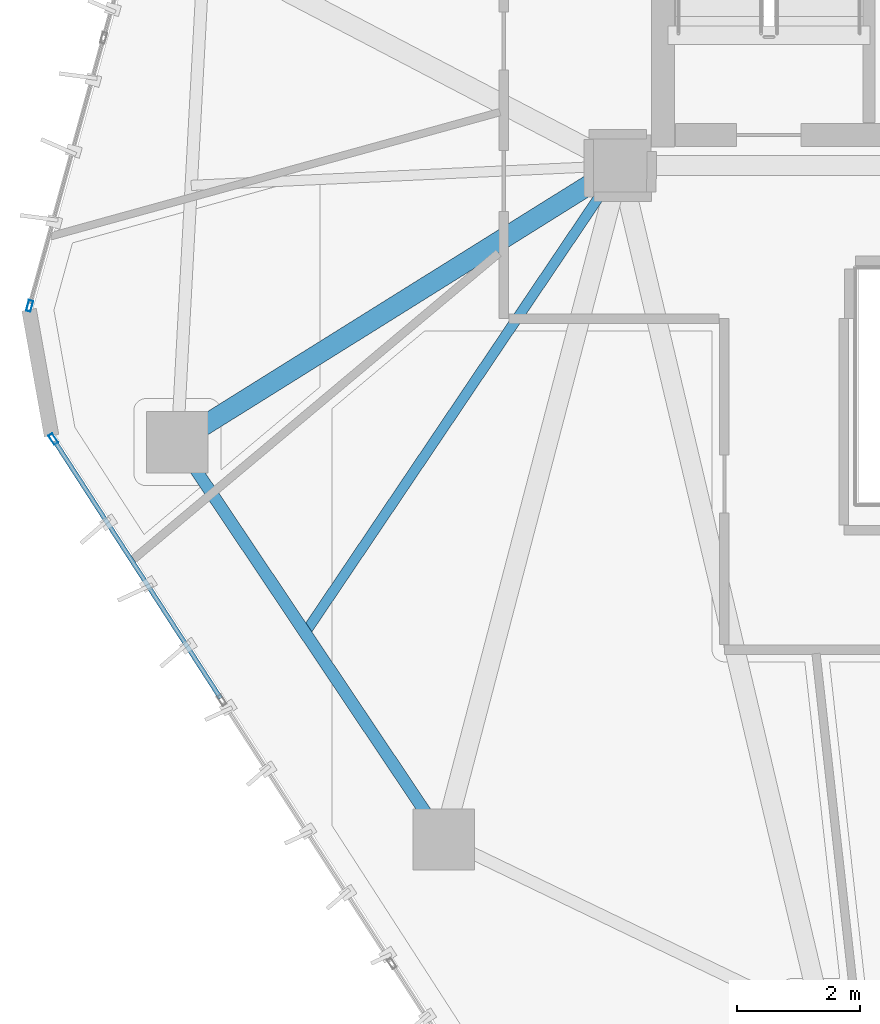
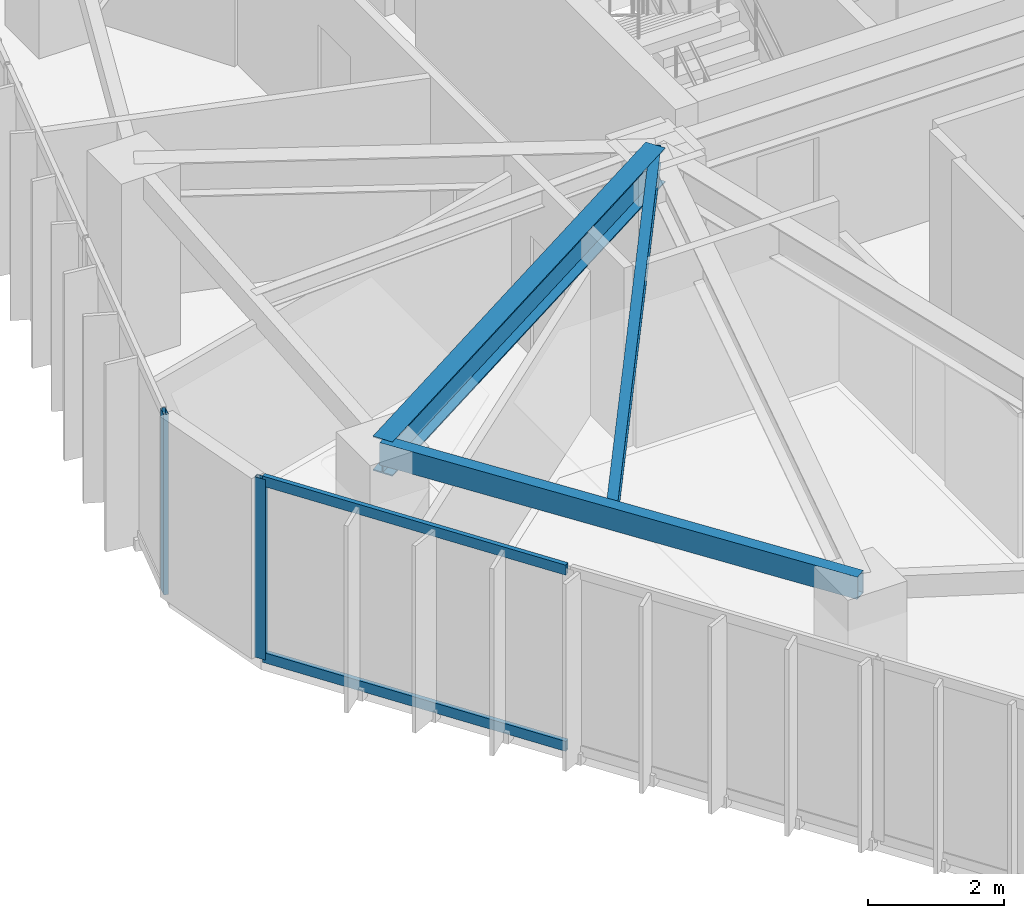
# One storey, part 3 of 19: 4 members, 3 beams, 2 elements without a shape of their own.
"""IFC4 building model written with IfcOpenShell, lengths in metres."""

import ifcopenshell
import ifcopenshell.guid

model = None  # the IFC model being written
_history = None  # IfcOwnerHistory: only IFC2X3 demands one
_inside = {}  # id of a spatial element -> (the spatial element, [elements in it])
_under = {}  # id of a project, library or spatial element -> (it, [spatial elements below it])
_declared = {}  # id of a project -> (the project, [libraries it declares])
_typed = {}  # id of a type object -> (the type object, [elements of that type])
_made_of = {}  # id of a material, layer set ... -> (it, [elements and type objects made of it])


def new_model(schema):
    """Start an empty IFC model of exactly this schema.

    Asked for "IFC4X3", IfcOpenShell would pick the latest addendum, in which some entities
    have other attributes; the version numbers below select the first issue.
    IFC2X3 requires an IfcOwnerHistory on every rooted entity: one is made here for all.
    """
    global model, _history
    if schema == "IFC4X3":
        model = ifcopenshell.file(schema_version=(4, 3, 0, 0))
    else:
        model = ifcopenshell.file(schema=schema)
    _inside.clear()
    _under.clear()
    _declared.clear()
    _typed.clear()
    _made_of.clear()
    _history = None
    if model.schema == "IFC2X3":
        org = make("IfcOrganization", Name="unknown")
        user = make(
            "IfcPersonAndOrganization",
            ThePerson=make("IfcPerson", FamilyName="unknown"),
            TheOrganization=org,
        )
        app = make(
            "IfcApplication",
            ApplicationDeveloper=org,
            Version="unknown",
            ApplicationFullName="unknown",
            ApplicationIdentifier="unknown",
        )
        _history = make(
            "IfcOwnerHistory",
            OwningUser=user,
            OwningApplication=app,
            ChangeAction="ADDED",
            CreationDate=0,
        )
    return model


def make(cls, **values):
    """One entity of the class cls with the attributes given. An attribute that is None is left unset."""
    return model.create_entity(
        cls, **{name: value for name, value in values.items() if value is not None}
    )


def rooted(cls, **values):
    """An entity with a GlobalId (a new one), such as an element, a storey or a relation."""
    return make(cls, GlobalId=ifcopenshell.guid.new(), OwnerHistory=_history, **values)


def si_unit(unit_type, name, prefix=None):
    """IfcSIUnit, for example si_unit("LENGTHUNIT", "METRE", prefix="MILLI")."""
    return make("IfcSIUnit", UnitType=unit_type, Prefix=prefix, Name=name)


def assignment(units):
    """IfcUnitAssignment: the units of a project."""
    return None if units is None else make("IfcUnitAssignment", Units=units)


def point(xyz):
    """IfcCartesianPoint."""
    return None if xyz is None else make("IfcCartesianPoint", Coordinates=xyz)


def direction(xyz):
    """IfcDirection."""
    return None if xyz is None else make("IfcDirection", DirectionRatios=xyz)


def frame(location, z_axis=None, x_axis=None):
    """IfcAxis2Placement3D, a coordinate frame: its origin and axes. An axis left out is left unset."""
    return make(
        "IfcAxis2Placement3D",
        Location=point(location),
        Axis=direction(z_axis),
        RefDirection=direction(x_axis),
    )


def frame_2d(location, x_axis=None):
    """IfcAxis2Placement2D, a coordinate frame in the plane: its origin and x axis."""
    return make(
        "IfcAxis2Placement2D", Location=point(location), RefDirection=direction(x_axis)
    )


def origin():
    """The frame at (0, 0, 0) with its axes left unset."""
    return frame((0.0, 0.0, 0.0))


def origin_2d():
    """The frame at (0, 0) in the plane with its x axis left unset."""
    return frame_2d((0.0, 0.0))


def place(relative_to, where):
    """IfcLocalPlacement: puts the frame where relative to a parent placement (None: the world)."""
    return make(
        "IfcLocalPlacement", PlacementRelTo=relative_to, RelativePlacement=where
    )


def context(
    kind, dimensions, precision=None, world=None, true_north=None, identifier=None
):
    """IfcGeometricRepresentationContext, for example the 3D "Model" context."""
    return make(
        "IfcGeometricRepresentationContext",
        ContextIdentifier=identifier,
        ContextType=kind,
        CoordinateSpaceDimension=dimensions,
        Precision=precision,
        WorldCoordinateSystem=world,
        TrueNorth=true_north,
    )


def subcontext(parent, identifier, kind, view, scale=None):
    """IfcGeometricRepresentationSubContext, for example "Body" below "Model"."""
    return make(
        "IfcGeometricRepresentationSubContext",
        ContextIdentifier=identifier,
        ContextType=kind,
        ParentContext=parent,
        TargetScale=scale,
        TargetView=view,
    )


def project(units=None, contexts=None):
    """IfcProject with its units and contexts."""
    return rooted(
        "IfcProject",
        Name="project",
        RepresentationContexts=contexts,
        UnitsInContext=assignment(units),
    )


def spatial(cls, under=None, at=None, **own):
    """A site, building, storey or space (cls), placed at a placement, below another one or the project."""
    s = rooted(cls, ObjectPlacement=at, **own)
    if under is not None:
        _under.setdefault(under.id(), (under, []))[1].append(s)
    return s


def profile(cls, at=None, kind="AREA", **sizes):
    """A parametric profile (cls). Its sizes go by their IFC names, for example OverallWidth=200.0."""
    return make(cls, ProfileType=kind, Position=at, **sizes)


def hollow_rectangle(**sizes):
    """IfcRectangleHollowProfileDef."""
    return profile("IfcRectangleHollowProfileDef", **sizes)


def i_section(**sizes):
    """IfcIShapeProfileDef."""
    return profile("IfcIShapeProfileDef", **sizes)


def extrude(swept, where, along, depth):
    """IfcExtrudedAreaSolid: the profile swept, set in the frame where, extruded along a direction by depth."""
    return make(
        "IfcExtrudedAreaSolid",
        SweptArea=swept,
        Position=where,
        ExtrudedDirection=direction(along),
        Depth=depth,
    )


def shape(context_of_items, identifier, shape_type, items):
    """IfcShapeRepresentation: the items that make up one representation, for example the "Body"."""
    return make(
        "IfcShapeRepresentation",
        ContextOfItems=context_of_items,
        RepresentationIdentifier=identifier,
        RepresentationType=shape_type,
        Items=items,
    )


def source(mapping_origin, context_of_items, identifier, shape_type, items):
    """IfcRepresentationMap: a shape defined once, which mapped items show again and again."""
    return make(
        "IfcRepresentationMap",
        MappingOrigin=mapping_origin,
        MappedRepresentation=shape(context_of_items, identifier, shape_type, items),
    )


def transform(
    local_origin,
    x_axis=None,
    y_axis=None,
    z_axis=None,
    scale=None,
    scale2=None,
    scale3=None,
    uniform=True,
):
    """IfcCartesianTransformationOperator3D, or its non-uniform kind. x_axis, y_axis, z_axis: its Axis1, 2, 3."""
    if uniform:
        return make(
            "IfcCartesianTransformationOperator3D",
            Axis1=direction(x_axis),
            Axis2=direction(y_axis),
            LocalOrigin=point(local_origin),
            Scale=scale,
            Axis3=direction(z_axis),
        )
    return make(
        "IfcCartesianTransformationOperator3DnonUniform",
        Axis1=direction(x_axis),
        Axis2=direction(y_axis),
        LocalOrigin=point(local_origin),
        Scale=scale,
        Axis3=direction(z_axis),
        Scale2=scale2,
        Scale3=scale3,
    )


def mapped(mapping_source, mapping_target):
    """IfcMappedItem: shows the shape of a source again, moved by a transform."""
    return make(
        "IfcMappedItem", MappingSource=mapping_source, MappingTarget=mapping_target
    )


def material(Name=None, Category=None):
    """IfcMaterial."""
    return make("IfcMaterial", Name=Name, Category=Category)


def layer(
    of_material, thickness, ventilated=None, Name=None, Category=None, Priority=None
):
    """IfcMaterialLayer: one layer of a wall or slab, of a material (None: an air gap)."""
    return make(
        "IfcMaterialLayer",
        Material=of_material,
        LayerThickness=thickness,
        IsVentilated=ventilated,
        Name=Name,
        Category=Category,
        Priority=Priority,
    )


def layer_set(layers, Name=None):
    """IfcMaterialLayerSet."""
    return make("IfcMaterialLayerSet", MaterialLayers=layers, LayerSetName=Name)


def material_profile(
    of_material, cross_section, Name=None, Category=None, Priority=None
):
    """IfcMaterialProfile: a cross section and its material."""
    return make(
        "IfcMaterialProfile",
        Name=Name,
        Material=of_material,
        Profile=cross_section,
        Priority=Priority,
        Category=Category,
    )


def profile_set(profiles, Name=None, composite=None):
    """IfcMaterialProfileSet."""
    return make(
        "IfcMaterialProfileSet",
        Name=Name,
        MaterialProfiles=profiles,
        CompositeProfile=composite,
    )


def made_of(thing, what):
    """Note that an element or type object is made of a material, layer set ...; save() writes the relation."""
    if what is not None:
        _made_of.setdefault(what.id(), (what, []))[1].append(thing)
    return thing


def type_object(cls, material=None, **own):
    """A type object (cls), such as IfcWallType, which elements share."""
    return made_of(rooted(cls, **own), material)


def type_shapes(of_type, sources):
    """Give a type object the sources (RepresentationMaps) that its elements show as mapped items."""
    of_type.RepresentationMaps = sources


def element(
    cls,
    number,
    at=None,
    inside=None,
    cuts=None,
    type_object=None,
    material=None,
    context=None,
    identifier="Body",
    shape_type=None,
    held_by="IfcProductDefinitionShape",
    body=None,
    shapes=None,
    **own,
):
    """One element of the class cls, such as IfcWall. Its Tag is "e" and its number.

    at: its placement. inside: the storey or other place that contains it. cuts: it is an
    opening in that element (IfcRelVoidsElement). A single representation is given by context,
    identifier, shape_type and body (its items); several are given by shapes. held_by: the class
    of the entity that holds the representations. save() writes the other relations.
    """
    e = rooted(cls, Tag="e%d" % number, ObjectPlacement=at, **own)
    if body is not None:
        shapes = [shape(context, identifier, shape_type, body)]
    if shapes is not None:
        e.Representation = make(held_by, Representations=shapes)
    if inside is not None:
        _inside.setdefault(inside.id(), (inside, []))[1].append(e)
    if cuts is not None:
        rooted(
            "IfcRelVoidsElement", RelatingBuildingElement=cuts, RelatedOpeningElement=e
        )
    if type_object is not None:
        _typed.setdefault(type_object.id(), (type_object, []))[1].append(e)
    return made_of(e, material)


def aggregate(whole, parts):
    """IfcRelAggregates: a whole, such as a stair, and the parts it consists of."""
    return rooted("IfcRelAggregates", RelatingObject=whole, RelatedObjects=parts)


def save(model, path):
    """Write the relations noted so far, then the file.

    IfcRelAggregates (storeys below a building ...), IfcRelContainedInSpatialStructure (elements
    in a storey), IfcRelDefinesByType, IfcRelAssociatesMaterial and IfcRelDeclares: one each for
    every whole, place, type object, material and project.
    """
    for whole, parts in _under.values():
        aggregate(whole, parts)
    for where, things in _inside.values():
        rooted(
            "IfcRelContainedInSpatialStructure",
            RelatedElements=things,
            RelatingStructure=where,
        )
    for kind, things in _typed.values():
        rooted("IfcRelDefinesByType", RelatedObjects=things, RelatingType=kind)
    for what, things in _made_of.values():
        rooted("IfcRelAssociatesMaterial", RelatedObjects=things, RelatingMaterial=what)
    for by, libraries in _declared.values():
        rooted("IfcRelDeclares", RelatingContext=by, RelatedDefinitions=libraries)
    model.write(path)


model = new_model("IFC4")

# Units and contexts
model_context = context("Model", 3, precision=1e-05, world=origin(), true_north=direction((0.0, 1.0)))
body_context = subcontext(model_context, "Body", "Model", "MODEL_VIEW")
ifc_project = project(units=[si_unit("LENGTHUNIT", "METRE"), si_unit("AREAUNIT", "SQUARE_METRE"), si_unit("VOLUMEUNIT", "CUBIC_METRE"), si_unit("PLANEANGLEUNIT", "RADIAN"), si_unit("MASSUNIT", "GRAM", prefix="KILO")], contexts=[model_context])

# Site, building, storey
site_placement = place(None, origin())
site = spatial("IfcSite", under=ifc_project, at=site_placement, CompositionType="ELEMENT")
building_placement = place(site_placement, origin())
building = spatial("IfcBuilding", under=site, at=building_placement, Name="Talar Marvaseh", CompositionType="ELEMENT")
storey_placement = place(building_placement, frame((0.0, 0.0, 181.0)))
storey = spatial("IfcBuildingStorey", under=building, at=storey_placement, Name="L47", CompositionType="ELEMENT", Elevation=181.0)

# Beams
ifc_material_1 = material(Name="Steel S355", Category="steel")
ifc_material_profile_1 = material_profile(ifc_material_1, hollow_rectangle(XDim=0.199951171875, YDim=0.39990234375, WallThickness=0.013916015625, at=origin_2d()), Name="RHS400x200x14")
ifc_profile_set_1 = profile_set([ifc_material_profile_1], Name="Steel S355")
beam_type_1 = type_object("IfcBeamType", Name="Zone 3 Perimeter Spandrel Beam RHS400x200x14", PredefinedType="SPANDREL", material=ifc_profile_set_1)
beam_1_placement = place(storey_placement, frame((15.819091796875, 14.5009765625, 3.030029296875), z_axis=(-0.556805579613, 0.830642851358, 0.0), x_axis=(-0.830642851358, -0.556805579613, 0.0)))
element("IfcBeam", 1, at=beam_1_placement, inside=storey, type_object=beam_type_1, Name="L47 Zone 3 Perimeter Spandrel Beam RHS400x200x14", PredefinedType="SPANDREL", context=body_context, shape_type="SweptSolid", body=[
    extrude(hollow_rectangle(XDim=0.199951171875, YDim=0.39990234375, WallThickness=0.013916015625, at=origin_2d()), origin(), (0.0, 0.0, 1.0), 7.807373046875),
])
ifc_material_profile_2 = material_profile(ifc_material_1, i_section(OverallWidth=0.324951171875, OverallDepth=0.615966796875, WebThickness=0.013916015625, FlangeThickness=0.021484375, at=origin_2d()), Name="W610x174")
ifc_profile_set_2 = profile_set([ifc_material_profile_2], Name="Steel S355")
beam_type_2 = type_object("IfcBeamType", Name="Zone 3 Radial Floor Girder W610x174", PredefinedType="BEAM", material=ifc_profile_set_2)
beam_2_placement = place(storey_placement, frame((11.471923828125, 20.986083984375, 2.922119140625), z_axis=(0.848188171212, 0.52969503133, 0.0), x_axis=(-0.52969503133, 0.848188171212, 0.0)))
element("IfcBeam", 2, at=beam_2_placement, inside=storey, type_object=beam_type_2, Name="L47 Zone 3 Radial Floor Girder W610x174", PredefinedType="BEAM", context=body_context, shape_type="SweptSolid", body=[
    extrude(i_section(OverallWidth=0.324951171875, OverallDepth=0.615966796875, WebThickness=0.013916015625, FlangeThickness=0.021484375, at=origin_2d()), origin(), (0.0, 0.0, 1.0), 8.521728515625),
])
ifc_material_profile_3 = material_profile(ifc_material_1, i_section(OverallWidth=0.166015625, OverallDepth=0.31298828125, WebThickness=0.006591796875, FlangeThickness=0.01123046875, at=origin_2d()), Name="W310x45")
ifc_profile_set_3 = profile_set([ifc_material_profile_3], Name="Steel S355")
beam_type_3 = type_object("IfcBeamType", Name="Zone 3 Secondary Floor Joist W310x45", PredefinedType="JOIST", material=ifc_profile_set_3)
beam_3_placement = place(storey_placement, frame((13.55859375, 17.873291015625, 3.073486328125), z_axis=(0.558974483718, 0.829184856683, 0.0), x_axis=(-0.829184856683, 0.558974483718, 0.0)))
element("IfcBeam", 3, at=beam_3_placement, inside=storey, type_object=beam_type_3, Name="L47 Zone 3 Secondary Floor Joist W310x45", PredefinedType="JOIST", context=body_context, shape_type="SweptSolid", body=[
    extrude(i_section(OverallWidth=0.166015625, OverallDepth=0.31298828125, WebThickness=0.006591796875, FlangeThickness=0.01123046875, at=origin_2d()), origin(), (0.0, 0.0, 1.0), 9.19775390625),
])

# Curtain wall, member
ifc_material_2 = material(Name="Architectural Aluminium", Category="aluminium")
ifc_layer = layer(ifc_material_2, 0.18994140625)
ifc_layer_set = layer_set([ifc_layer], Name="Architectural Aluminium")
curtain_wall_type = type_object("IfcCurtainWallType", Name="Unitised Solar Atelier Curtain Wall Z3", PredefinedType="NOTDEFINED", material=ifc_layer_set)
curtain_wall_1_placement = place(storey_placement, origin())
curtain_wall_1 = element("IfcCurtainWall", 4, at=curtain_wall_1_placement, inside=storey, type_object=curtain_wall_type, Name="L47 Unitised Solar Atelier Curtain Wall Z3", PredefinedType="NOTDEFINED")
ifc_material_profile_4 = material_profile(ifc_material_2, hollow_rectangle(XDim=0.074951171875, YDim=0.179931640625, WallThickness=0.0048828125, at=origin_2d()), Name="RHS180x75x5")
ifc_profile_set_4 = profile_set([ifc_material_profile_4], Name="Architectural Aluminium")
member_type_1 = type_object("IfcMemberType", Name="Unitised Curtain Wall Standard Mullion RHS180x75x5", PredefinedType="MULLION", material=ifc_profile_set_4)
shared_shape_1 = source(origin(), body_context, "Body", "SweptSolid", [
    extrude(hollow_rectangle(XDim=0.074951171875, YDim=0.179931640625, WallThickness=0.0048828125, at=origin_2d()), origin(), (0.0, 0.0, 1.0), 3.22998046875),
])
type_shapes(member_type_1, [shared_shape_1])
member_1_placement = place(storey_placement, frame((9.447021484375, 21.037353515625, 0.0), z_axis=(0.0, 0.0, 1.0), x_axis=(-0.840129242743, -0.542386260417, 0.0)))
member_1 = element("IfcMember", 5, at=member_1_placement, type_object=member_type_1, Name="CW-Z3 mullion 4", PredefinedType="MULLION", context=body_context, shape_type="MappedRepresentation", body=[
    mapped(shared_shape_1, transform((0.0, 0.0, 0.0), x_axis=(1.0, 0.0, 0.0), y_axis=(0.0, 1.0, 0.0), z_axis=(0.0, 0.0, 1.0), scale=1.0)),
])

curtain_wall_2_placement = place(storey_placement, origin())
curtain_wall_2 = element("IfcCurtainWall", 6, at=curtain_wall_2_placement, inside=storey, type_object=curtain_wall_type, Name="L47 Unitised Solar Atelier Curtain Wall Z3", PredefinedType="NOTDEFINED")
member_2_placement = place(storey_placement, frame((9.062255859375, 23.20947265625, 0.0), z_axis=(0.0, 0.0, 1.0), x_axis=(-0.96394548055, 0.266099813091, 0.0)))
member_2 = element("IfcMember", 7, at=member_2_placement, type_object=member_type_1, Name="CW-Z3 mullion 1", PredefinedType="MULLION", context=body_context, shape_type="MappedRepresentation", body=[
    mapped(shared_shape_1, transform((0.0, 0.0, 0.0), x_axis=(1.0, 0.0, 0.0), y_axis=(0.0, 1.0, 0.0), z_axis=(0.0, 0.0, 1.0), scale=1.0)),
])
aggregate(curtain_wall_2, [member_2])

# Member
ifc_material_profile_5 = material_profile(ifc_material_2, hollow_rectangle(XDim=0.074951171875, YDim=0.179931640625, WallThickness=0.0048828125, at=origin_2d()), Name="RHS180x75x5")
ifc_profile_set_5 = profile_set([ifc_material_profile_5], Name="Architectural Aluminium")
member_type_2 = type_object("IfcMemberType", Name="Unitised Curtain Wall Transom RHS180x75x5", PredefinedType="USERDEFINED", material=ifc_profile_set_5)
shared_shape_2 = source(origin(), body_context, "Body", "SweptSolid", [
    extrude(hollow_rectangle(XDim=0.074951171875, YDim=0.179931640625, WallThickness=0.0048828125, at=origin_2d()), origin(), (0.0, 0.0, 1.0), 5.00048828125),
])
type_shapes(member_type_2, [shared_shape_2])
member_3_placement = place(storey_placement, frame((12.1796875, 16.8046875, 0.03759765625), z_axis=(-0.542370386147, 0.840139490936, 0.0), x_axis=(-0.840139490936, -0.542370386147, 0.0)))
member_3 = element("IfcMember", 8, at=member_3_placement, type_object=member_type_2, Name="CW-Z3 transom 3.1", ObjectType="TRANSOM", PredefinedType="USERDEFINED", context=body_context, shape_type="MappedRepresentation", body=[
    mapped(shared_shape_2, transform((0.0, 0.0, 0.0), x_axis=(1.0, 0.0, 0.0), y_axis=(0.0, 1.0, 0.0), z_axis=(0.0, 0.0, 1.0), scale=1.0)),
])

member_4_placement = place(storey_placement, frame((12.1796875, 16.8046875, 3.1923828125), z_axis=(-0.542370386147, 0.840139490936, 0.0), x_axis=(-0.840139490936, -0.542370386147, 0.0)))
member_4 = element("IfcMember", 9, at=member_4_placement, type_object=member_type_2, Name="CW-Z3 transom 3.2", ObjectType="TRANSOM", PredefinedType="USERDEFINED", context=body_context, shape_type="MappedRepresentation", body=[
    mapped(shared_shape_2, transform((0.0, 0.0, 0.0), x_axis=(1.0, 0.0, 0.0), y_axis=(0.0, 1.0, 0.0), z_axis=(0.0, 0.0, 1.0), scale=1.0)),
])

aggregate(curtain_wall_1, [member_1, member_3, member_4])

save(model, "model.ifc")
